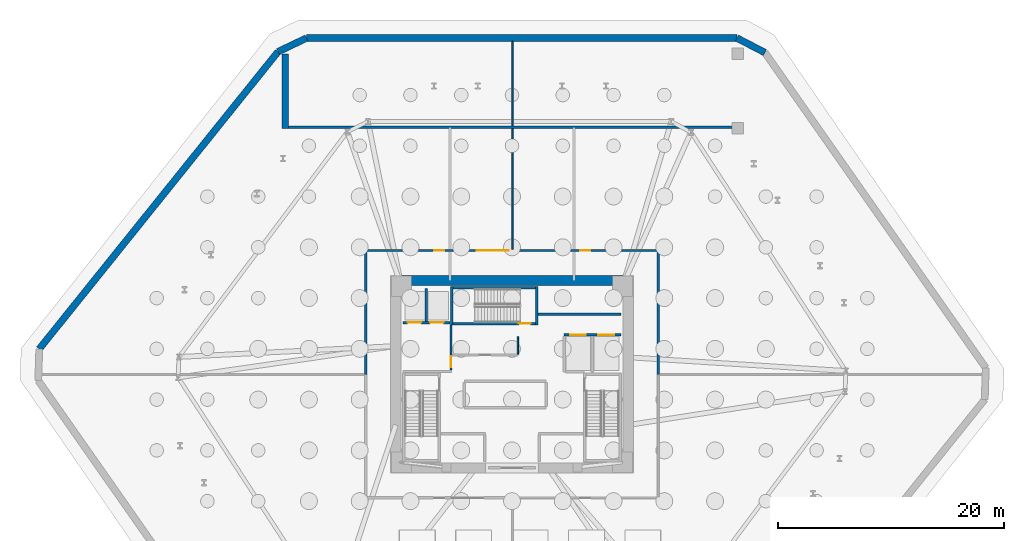
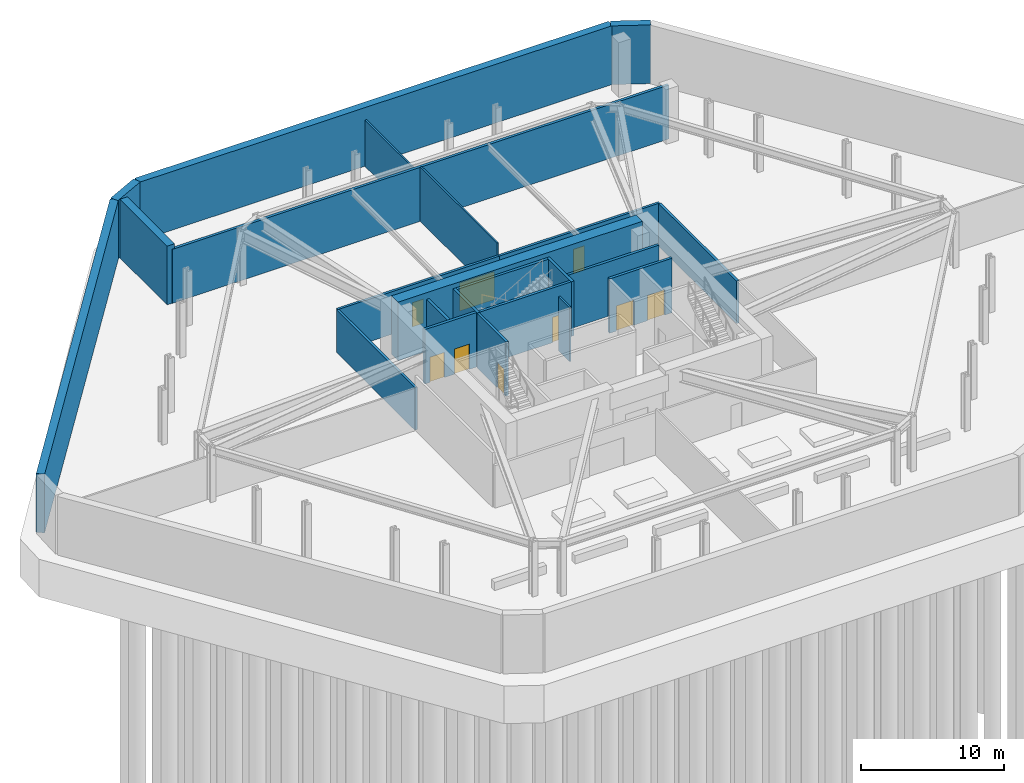
# One storey, part 5 of 8: 23 walls, 9 doors, 9 openings.
"""IFC4 building model written with IfcOpenShell, lengths in metres."""

import ifcopenshell
import ifcopenshell.guid

model = None  # the IFC model being written
_history = None  # IfcOwnerHistory: only IFC2X3 demands one
_inside = {}  # id of a spatial element -> (the spatial element, [elements in it])
_under = {}  # id of a project, library or spatial element -> (it, [spatial elements below it])
_declared = {}  # id of a project -> (the project, [libraries it declares])
_typed = {}  # id of a type object -> (the type object, [elements of that type])
_made_of = {}  # id of a material, layer set ... -> (it, [elements and type objects made of it])


def new_model(schema):
    """Start an empty IFC model of exactly this schema.

    Asked for "IFC4X3", IfcOpenShell would pick the latest addendum, in which some entities
    have other attributes; the version numbers below select the first issue.
    IFC2X3 requires an IfcOwnerHistory on every rooted entity: one is made here for all.
    """
    global model, _history
    if schema == "IFC4X3":
        model = ifcopenshell.file(schema_version=(4, 3, 0, 0))
    else:
        model = ifcopenshell.file(schema=schema)
    _inside.clear()
    _under.clear()
    _declared.clear()
    _typed.clear()
    _made_of.clear()
    _history = None
    if model.schema == "IFC2X3":
        org = make("IfcOrganization", Name="unknown")
        user = make(
            "IfcPersonAndOrganization",
            ThePerson=make("IfcPerson", FamilyName="unknown"),
            TheOrganization=org,
        )
        app = make(
            "IfcApplication",
            ApplicationDeveloper=org,
            Version="unknown",
            ApplicationFullName="unknown",
            ApplicationIdentifier="unknown",
        )
        _history = make(
            "IfcOwnerHistory",
            OwningUser=user,
            OwningApplication=app,
            ChangeAction="ADDED",
            CreationDate=0,
        )
    return model


def make(cls, **values):
    """One entity of the class cls with the attributes given. An attribute that is None is left unset."""
    return model.create_entity(
        cls, **{name: value for name, value in values.items() if value is not None}
    )


def rooted(cls, **values):
    """An entity with a GlobalId (a new one), such as an element, a storey or a relation."""
    return make(cls, GlobalId=ifcopenshell.guid.new(), OwnerHistory=_history, **values)


def si_unit(unit_type, name, prefix=None):
    """IfcSIUnit, for example si_unit("LENGTHUNIT", "METRE", prefix="MILLI")."""
    return make("IfcSIUnit", UnitType=unit_type, Prefix=prefix, Name=name)


def assignment(units):
    """IfcUnitAssignment: the units of a project."""
    return None if units is None else make("IfcUnitAssignment", Units=units)


def point(xyz):
    """IfcCartesianPoint."""
    return None if xyz is None else make("IfcCartesianPoint", Coordinates=xyz)


def direction(xyz):
    """IfcDirection."""
    return None if xyz is None else make("IfcDirection", DirectionRatios=xyz)


def frame(location, z_axis=None, x_axis=None):
    """IfcAxis2Placement3D, a coordinate frame: its origin and axes. An axis left out is left unset."""
    return make(
        "IfcAxis2Placement3D",
        Location=point(location),
        Axis=direction(z_axis),
        RefDirection=direction(x_axis),
    )


def frame_2d(location, x_axis=None):
    """IfcAxis2Placement2D, a coordinate frame in the plane: its origin and x axis."""
    return make(
        "IfcAxis2Placement2D", Location=point(location), RefDirection=direction(x_axis)
    )


def origin():
    """The frame at (0, 0, 0) with its axes left unset."""
    return frame((0.0, 0.0, 0.0))


def place(relative_to, where):
    """IfcLocalPlacement: puts the frame where relative to a parent placement (None: the world)."""
    return make(
        "IfcLocalPlacement", PlacementRelTo=relative_to, RelativePlacement=where
    )


def context(
    kind, dimensions, precision=None, world=None, true_north=None, identifier=None
):
    """IfcGeometricRepresentationContext, for example the 3D "Model" context."""
    return make(
        "IfcGeometricRepresentationContext",
        ContextIdentifier=identifier,
        ContextType=kind,
        CoordinateSpaceDimension=dimensions,
        Precision=precision,
        WorldCoordinateSystem=world,
        TrueNorth=true_north,
    )


def subcontext(parent, identifier, kind, view, scale=None):
    """IfcGeometricRepresentationSubContext, for example "Body" below "Model"."""
    return make(
        "IfcGeometricRepresentationSubContext",
        ContextIdentifier=identifier,
        ContextType=kind,
        ParentContext=parent,
        TargetScale=scale,
        TargetView=view,
    )


def project(units=None, contexts=None):
    """IfcProject with its units and contexts."""
    return rooted(
        "IfcProject",
        Name="project",
        RepresentationContexts=contexts,
        UnitsInContext=assignment(units),
    )


def spatial(cls, under=None, at=None, **own):
    """A site, building, storey or space (cls), placed at a placement, below another one or the project."""
    s = rooted(cls, ObjectPlacement=at, **own)
    if under is not None:
        _under.setdefault(under.id(), (under, []))[1].append(s)
    return s


def profile(cls, at=None, kind="AREA", **sizes):
    """A parametric profile (cls). Its sizes go by their IFC names, for example OverallWidth=200.0."""
    return make(cls, ProfileType=kind, Position=at, **sizes)


def rectangle(**sizes):
    """IfcRectangleProfileDef."""
    return profile("IfcRectangleProfileDef", **sizes)


def extrude(swept, where, along, depth):
    """IfcExtrudedAreaSolid: the profile swept, set in the frame where, extruded along a direction by depth."""
    return make(
        "IfcExtrudedAreaSolid",
        SweptArea=swept,
        Position=where,
        ExtrudedDirection=direction(along),
        Depth=depth,
    )


def shape(context_of_items, identifier, shape_type, items):
    """IfcShapeRepresentation: the items that make up one representation, for example the "Body"."""
    return make(
        "IfcShapeRepresentation",
        ContextOfItems=context_of_items,
        RepresentationIdentifier=identifier,
        RepresentationType=shape_type,
        Items=items,
    )


def source(mapping_origin, context_of_items, identifier, shape_type, items):
    """IfcRepresentationMap: a shape defined once, which mapped items show again and again."""
    return make(
        "IfcRepresentationMap",
        MappingOrigin=mapping_origin,
        MappedRepresentation=shape(context_of_items, identifier, shape_type, items),
    )


def transform(
    local_origin,
    x_axis=None,
    y_axis=None,
    z_axis=None,
    scale=None,
    scale2=None,
    scale3=None,
    uniform=True,
):
    """IfcCartesianTransformationOperator3D, or its non-uniform kind. x_axis, y_axis, z_axis: its Axis1, 2, 3."""
    if uniform:
        return make(
            "IfcCartesianTransformationOperator3D",
            Axis1=direction(x_axis),
            Axis2=direction(y_axis),
            LocalOrigin=point(local_origin),
            Scale=scale,
            Axis3=direction(z_axis),
        )
    return make(
        "IfcCartesianTransformationOperator3DnonUniform",
        Axis1=direction(x_axis),
        Axis2=direction(y_axis),
        LocalOrigin=point(local_origin),
        Scale=scale,
        Axis3=direction(z_axis),
        Scale2=scale2,
        Scale3=scale3,
    )


def mapped(mapping_source, mapping_target):
    """IfcMappedItem: shows the shape of a source again, moved by a transform."""
    return make(
        "IfcMappedItem", MappingSource=mapping_source, MappingTarget=mapping_target
    )


def material(Name=None, Category=None):
    """IfcMaterial."""
    return make("IfcMaterial", Name=Name, Category=Category)


def layer(
    of_material, thickness, ventilated=None, Name=None, Category=None, Priority=None
):
    """IfcMaterialLayer: one layer of a wall or slab, of a material (None: an air gap)."""
    return make(
        "IfcMaterialLayer",
        Material=of_material,
        LayerThickness=thickness,
        IsVentilated=ventilated,
        Name=Name,
        Category=Category,
        Priority=Priority,
    )


def layer_set(layers, Name=None):
    """IfcMaterialLayerSet."""
    return make("IfcMaterialLayerSet", MaterialLayers=layers, LayerSetName=Name)


def made_of(thing, what):
    """Note that an element or type object is made of a material, layer set ...; save() writes the relation."""
    if what is not None:
        _made_of.setdefault(what.id(), (what, []))[1].append(thing)
    return thing


def type_object(cls, material=None, **own):
    """A type object (cls), such as IfcWallType, which elements share."""
    return made_of(rooted(cls, **own), material)


def type_shapes(of_type, sources):
    """Give a type object the sources (RepresentationMaps) that its elements show as mapped items."""
    of_type.RepresentationMaps = sources


def element(
    cls,
    number,
    at=None,
    inside=None,
    cuts=None,
    type_object=None,
    material=None,
    context=None,
    identifier="Body",
    shape_type=None,
    held_by="IfcProductDefinitionShape",
    body=None,
    shapes=None,
    **own,
):
    """One element of the class cls, such as IfcWall. Its Tag is "e" and its number.

    at: its placement. inside: the storey or other place that contains it. cuts: it is an
    opening in that element (IfcRelVoidsElement). A single representation is given by context,
    identifier, shape_type and body (its items); several are given by shapes. held_by: the class
    of the entity that holds the representations. save() writes the other relations.
    """
    e = rooted(cls, Tag="e%d" % number, ObjectPlacement=at, **own)
    if body is not None:
        shapes = [shape(context, identifier, shape_type, body)]
    if shapes is not None:
        e.Representation = make(held_by, Representations=shapes)
    if inside is not None:
        _inside.setdefault(inside.id(), (inside, []))[1].append(e)
    if cuts is not None:
        rooted(
            "IfcRelVoidsElement", RelatingBuildingElement=cuts, RelatedOpeningElement=e
        )
    if type_object is not None:
        _typed.setdefault(type_object.id(), (type_object, []))[1].append(e)
    return made_of(e, material)


def fill(opening, filler):
    """IfcRelFillsElement: the door or window that sits in an opening."""
    return rooted(
        "IfcRelFillsElement",
        RelatingOpeningElement=opening,
        RelatedBuildingElement=filler,
    )


def aggregate(whole, parts):
    """IfcRelAggregates: a whole, such as a stair, and the parts it consists of."""
    return rooted("IfcRelAggregates", RelatingObject=whole, RelatedObjects=parts)


def save(model, path):
    """Write the relations noted so far, then the file.

    IfcRelAggregates (storeys below a building ...), IfcRelContainedInSpatialStructure (elements
    in a storey), IfcRelDefinesByType, IfcRelAssociatesMaterial and IfcRelDeclares: one each for
    every whole, place, type object, material and project.
    """
    for whole, parts in _under.values():
        aggregate(whole, parts)
    for where, things in _inside.values():
        rooted(
            "IfcRelContainedInSpatialStructure",
            RelatedElements=things,
            RelatingStructure=where,
        )
    for kind, things in _typed.values():
        rooted("IfcRelDefinesByType", RelatedObjects=things, RelatingType=kind)
    for what, things in _made_of.values():
        rooted("IfcRelAssociatesMaterial", RelatedObjects=things, RelatingMaterial=what)
    for by, libraries in _declared.values():
        rooted("IfcRelDeclares", RelatingContext=by, RelatedDefinitions=libraries)
    model.write(path)


model = new_model("IFC4")

# Units and contexts
model_context = context("Model", 3, precision=1e-05, world=origin(), true_north=direction((0.0, 1.0)))
body_context = subcontext(model_context, "Body", "Model", "MODEL_VIEW")
ifc_project = project(units=[si_unit("LENGTHUNIT", "METRE"), si_unit("AREAUNIT", "SQUARE_METRE"), si_unit("VOLUMEUNIT", "CUBIC_METRE"), si_unit("PLANEANGLEUNIT", "RADIAN"), si_unit("MASSUNIT", "GRAM", prefix="KILO")], contexts=[model_context])

# Site, building, storey
site_placement = place(None, origin())
site = spatial("IfcSite", under=ifc_project, at=site_placement, CompositionType="ELEMENT")
building_placement = place(site_placement, origin())
building = spatial("IfcBuilding", under=site, at=building_placement, Name="Durnholm Broadcast Tower", CompositionType="ELEMENT")
storey_placement = place(building_placement, frame((0.0, 0.0, -10.0)))
storey = spatial("IfcBuildingStorey", under=building, at=storey_placement, Name="B02", CompositionType="ELEMENT", Elevation=-10.0)

# Wall
ifc_material_1 = material(Name="Concrete C70/85", Category="concrete")
ifc_layer_1 = layer(ifc_material_1, 0.89990234375)
ifc_layer_set_1 = layer_set([ifc_layer_1], Name="Concrete C70/85")
wall_type_1 = type_object("IfcWallType", Name="WALL-CW-900", PredefinedType="SHEAR", material=ifc_layer_set_1)
wall_1_placement = place(storey_placement, frame((-9.85009765625, 8.300048828125, 0.0), z_axis=(0.0, 0.0, 1.0), x_axis=(1.0, 0.0, 0.0)))
element("IfcWall", 1, at=wall_1_placement, inside=storey, type_object=wall_type_1, Name="B02 central core shear wall CW-N", PredefinedType="SHEAR", context=body_context, shape_type="SweptSolid", body=[
    extrude(rectangle(XDim=19.7001953125, YDim=0.89990234375, at=frame_2d((9.85009765625, 0.0))), origin(), (0.0, 0.0, 1.0), 5.0),
])

# Wall, opening, door
ifc_material_2 = material(Name="Fire-Rated Gypsum Shaftwall", Category="concrete")
ifc_layer_2 = layer(ifc_material_2, 0.199951171875)
ifc_layer_set_2 = layer_set([ifc_layer_2], Name="Fire-Rated Gypsum Shaftwall")
wall_type_2 = type_object("IfcWallType", Name="WALL-LOB-200", PredefinedType="SOLIDWALL", material=ifc_layer_set_2)
wall_2_placement = place(storey_placement, frame((-5.39990234375, 0.35400390625, 0.0), z_axis=(0.0, 0.0, 1.0), x_axis=(0.0, 1.0, 0.0)))
wall_2 = element("IfcWall", 2, at=wall_2_placement, inside=storey, type_object=wall_type_2, Name="B02 Fire Service Access Elevator lobby east fire wall", PredefinedType="SOLIDWALL", context=body_context, shape_type="SweptSolid", body=[
    extrude(rectangle(XDim=4.02587890625, YDim=0.199951171875, at=frame_2d((2.012939453125, 0.0))), origin(), (0.0, 0.0, 1.0), 4.635009765625),
])
opening_1_placement = place(wall_2_placement, frame((0.24609375, 0.0, 0.0)))
opening_1 = element("IfcOpeningElement", 3, at=opening_1_placement, cuts=wall_2, Name="Opening DL-60L", PredefinedType="OPENING", context=body_context, shape_type="SweptSolid", body=[
    extrude(rectangle(XDim=1.0, YDim=2.14990234375, at=frame_2d((0.5, 1.074951171875))), frame((0.0, 0.10986328125, 0.0), z_axis=(0.0, -1.0, 0.0), x_axis=(1.0, 0.0, 0.0)), (0.0, 0.0, 1.0), 0.219970703125),
])
ifc_material_3 = material(Name="Fire-Rated Timber/Steel Door", Category="steel")
ifc_layer_3 = layer(ifc_material_3, 0.050048828125)
ifc_layer_set_3 = layer_set([ifc_layer_3], Name="Fire-Rated Timber/Steel Door")
door_type_1 = type_object("IfcDoorType", Name="DOOR-LOB-FD60-L", OperationType="NOTDEFINED", PredefinedType="DOOR", material=ifc_layer_set_3)
shared_shape_1 = source(origin(), body_context, "Body", "SweptSolid", [
    extrude(rectangle(XDim=1.0, YDim=2.14990234375, at=frame_2d((0.5, 1.074951171875))), frame((0.0, 0.02490234375, 0.0), z_axis=(0.0, -1.0, 0.0), x_axis=(1.0, 0.0, 0.0)), (0.0, 0.0, 1.0), 0.050048828125),
])
type_shapes(door_type_1, [shared_shape_1])
door_1_placement = place(opening_1_placement, origin())
door_1 = element("IfcDoor", 4, at=door_1_placement, inside=storey, type_object=door_type_1, Name="B02 Fire Service Access Elevator lobby smoke door", OperationType="SINGLE_SWING_LEFT", OverallHeight=2.14990234375, OverallWidth=1.0, PredefinedType="DOOR", context=body_context, shape_type="MappedRepresentation", body=[
    mapped(shared_shape_1, transform((0.0, 0.0, 0.0), x_axis=(1.0, 0.0, 0.0), y_axis=(0.0, 1.0, 0.0), z_axis=(0.0, 0.0, 1.0), scale=1.0)),
])
fill(opening_1, door_1)

# Wall, openings, doors
wall_3_placement = place(storey_placement, frame((0.0400390625, 10.9599609375, 0.0), z_axis=(0.0, 0.0, 1.0), x_axis=(-1.0, 0.0, 0.0)))
wall_3 = element("IfcWall", 5, at=wall_3_placement, inside=storey, type_object=wall_type_2, Name="B02 Central Chiller and Cooling Plant corridor partition", PredefinedType="SOLIDWALL", context=body_context, shape_type="SweptSolid", body=[
    extrude(rectangle(XDim=13.0, YDim=0.199951171875, at=frame_2d((6.5, 0.0))), origin(), (0.0, 0.0, 1.0), 3.62939453125),
])
opening_2_placement = place(wall_3_placement, frame((6.050048828125, 0.0, 0.0)))
opening_2 = element("IfcOpeningElement", 6, at=opening_2_placement, cuts=wall_3, Name="Opening DC-60L", PredefinedType="OPENING", context=body_context, shape_type="SweptSolid", body=[
    extrude(rectangle(XDim=0.89990234375, YDim=2.050048828125, at=frame_2d((0.449951171875, 1.02490234375))), frame((0.0, 0.10986328125, 0.0), z_axis=(0.0, -1.0, 0.0), x_axis=(1.0, 0.0, 0.0)), (0.0, 0.0, 1.0), 0.219970703125),
])
opening_3_placement = place(wall_3_placement, frame((0.35009765625, 0.0, 0.0)))
opening_3 = element("IfcOpeningElement", 7, at=opening_3_placement, cuts=wall_3, Name="Opening DG-FLT", PredefinedType="OPENING", context=body_context, shape_type="SweptSolid", body=[
    extrude(rectangle(XDim=2.800048828125, YDim=2.39990234375, at=frame_2d((1.39990234375, 1.199951171875))), frame((0.0, 0.10986328125, 0.0), z_axis=(0.0, -1.0, 0.0), x_axis=(1.0, 0.0, 0.0)), (0.0, 0.0, 1.0), 0.219970703125),
])
ifc_material_4 = material(Name="Fire-Rated Core Service Door", Category="steel")
ifc_layer_4 = layer(ifc_material_4, 0.050048828125)
ifc_layer_set_4 = layer_set([ifc_layer_4], Name="Fire-Rated Core Service Door")
door_type_2 = type_object("IfcDoorType", Name="DOOR-CORE-FD60-L", OperationType="NOTDEFINED", PredefinedType="DOOR", material=ifc_layer_set_4)
shared_shape_2 = source(origin(), body_context, "Body", "SweptSolid", [
    extrude(rectangle(XDim=0.89990234375, YDim=2.050048828125, at=frame_2d((0.449951171875, 1.02490234375))), frame((0.0, 0.02490234375, 0.0), z_axis=(0.0, -1.0, 0.0), x_axis=(1.0, 0.0, 0.0)), (0.0, 0.0, 1.0), 0.050048828125),
])
type_shapes(door_type_2, [shared_shape_2])
door_2_placement = place(opening_2_placement, origin())
door_2 = element("IfcDoor", 8, at=door_2_placement, inside=storey, type_object=door_type_2, Name="B02 Central Chiller and Cooling Plant entrance door", OperationType="SINGLE_SWING_LEFT", OverallHeight=2.050048828125, OverallWidth=0.89990234375, PredefinedType="DOOR", context=body_context, shape_type="MappedRepresentation", body=[
    mapped(shared_shape_2, transform((0.0, 0.0, 0.0), x_axis=(1.0, 0.0, 0.0), y_axis=(0.0, 1.0, 0.0), z_axis=(0.0, 0.0, 1.0), scale=1.0)),
])
fill(opening_2, door_2)
ifc_material_5 = material(Name="Galvanized Steel Fleet Security Shutter", Category="steel")
ifc_layer_5 = layer(ifc_material_5, 0.050048828125)
ifc_layer_set_5 = layer_set([ifc_layer_5], Name="Galvanized Steel Fleet Security Shutter")
door_type_3 = type_object("IfcDoorType", Name="DOOR-B01-GATE", OperationType="ROLLINGUP", PredefinedType="GATE", material=ifc_layer_set_5)
shared_shape_3 = source(origin(), body_context, "Body", "SweptSolid", [
    extrude(rectangle(XDim=2.800048828125, YDim=2.39990234375, at=frame_2d((1.39990234375, 1.199951171875))), frame((0.0, 0.02490234375, 0.0), z_axis=(0.0, -1.0, 0.0), x_axis=(1.0, 0.0, 0.0)), (0.0, 0.0, 1.0), 0.050048828125),
])
type_shapes(door_type_3, [shared_shape_3])
door_3_placement = place(opening_3_placement, origin())
door_3 = element("IfcDoor", 9, at=door_3_placement, inside=storey, type_object=door_type_3, Name="B02 plant equipment roller gate 2", OperationType="ROLLINGUP", OverallHeight=2.39990234375, OverallWidth=2.800048828125, PredefinedType="GATE", context=body_context, shape_type="MappedRepresentation", body=[
    mapped(shared_shape_3, transform((0.0, 0.0, 0.0), x_axis=(1.0, 0.0, 0.0), y_axis=(0.0, 1.0, 0.0), z_axis=(0.0, 0.0, 1.0), scale=1.0)),
])
fill(opening_3, door_3)

# Wall
wall_4_placement = place(storey_placement, frame((-12.9599609375, 10.85595703125, 0.0), z_axis=(0.0, 0.0, 1.0), x_axis=(0.0, -1.0, 0.0)))
element("IfcWall", 10, at=wall_4_placement, inside=storey, type_object=wall_type_2, Name="B02 Central Chiller and Cooling Plant corridor partition", PredefinedType="SOLIDWALL", context=body_context, shape_type="SweptSolid", body=[
    extrude(rectangle(XDim=10.89599609375, YDim=0.199951171875, at=frame_2d((5.447998046875, 0.0))), origin(), (0.0, 0.0, 1.0), 3.62939453125),
])

# Wall, opening, door
wall_5_placement = place(storey_placement, frame((12.9599609375, 10.9599609375, 0.0), z_axis=(0.0, 0.0, 1.0), x_axis=(-1.0, 0.0, 0.0)))
wall_5 = element("IfcWall", 11, at=wall_5_placement, inside=storey, type_object=wall_type_2, Name="B02 Fire Pump and Domestic Water Plant corridor partition", PredefinedType="SOLIDWALL", context=body_context, shape_type="SweptSolid", body=[
    extrude(rectangle(XDim=12.919921875, YDim=0.199951171875, at=frame_2d((6.4599609375, 0.0))), origin(), (0.0, 0.0, 1.0), 3.62939453125),
])
opening_4_placement = place(wall_5_placement, frame((6.010009765625, 0.0, 0.0)))
opening_4 = element("IfcOpeningElement", 12, at=opening_4_placement, cuts=wall_5, Name="Opening DC-60R", PredefinedType="OPENING", context=body_context, shape_type="SweptSolid", body=[
    extrude(rectangle(XDim=0.89990234375, YDim=2.050048828125, at=frame_2d((0.449951171875, 1.02490234375))), frame((0.0, 0.10986328125, 0.0), z_axis=(0.0, -1.0, 0.0), x_axis=(1.0, 0.0, 0.0)), (0.0, 0.0, 1.0), 0.219970703125),
])
ifc_layer_6 = layer(ifc_material_4, 0.050048828125)
ifc_layer_set_6 = layer_set([ifc_layer_6], Name="Fire-Rated Core Service Door")
door_type_4 = type_object("IfcDoorType", Name="DOOR-CORE-FD60-R", OperationType="NOTDEFINED", PredefinedType="DOOR", material=ifc_layer_set_6)
shared_shape_4 = source(origin(), body_context, "Body", "SweptSolid", [
    extrude(rectangle(XDim=0.89990234375, YDim=2.050048828125, at=frame_2d((0.449951171875, 1.02490234375))), frame((0.0, 0.02490234375, 0.0), z_axis=(0.0, -1.0, 0.0), x_axis=(1.0, 0.0, 0.0)), (0.0, 0.0, 1.0), 0.050048828125),
])
type_shapes(door_type_4, [shared_shape_4])
door_4_placement = place(opening_4_placement, origin())
door_4 = element("IfcDoor", 13, at=door_4_placement, inside=storey, type_object=door_type_4, Name="B02 Fire Pump and Domestic Water Plant entrance door", OperationType="SINGLE_SWING_RIGHT", OverallHeight=2.050048828125, OverallWidth=0.89990234375, PredefinedType="DOOR", context=body_context, shape_type="MappedRepresentation", body=[
    mapped(shared_shape_4, transform((0.0, 0.0, 0.0), x_axis=(1.0, 0.0, 0.0), y_axis=(0.0, 1.0, 0.0), z_axis=(0.0, 0.0, 1.0), scale=1.0)),
])
fill(opening_4, door_4)

# Walls
wall_6_placement = place(storey_placement, frame((12.9599609375, -0.0400390625, 0.0), z_axis=(0.0, 0.0, 1.0), x_axis=(0.0, 1.0, 0.0)))
element("IfcWall", 14, at=wall_6_placement, inside=storey, type_object=wall_type_2, Name="B02 Fire Pump and Domestic Water Plant corridor partition", PredefinedType="SOLIDWALL", context=body_context, shape_type="SweptSolid", body=[
    extrude(rectangle(XDim=10.89599609375, YDim=0.199951171875, at=frame_2d((5.447998046875, 0.0))), origin(), (0.0, 0.0, 1.0), 3.62939453125),
])
ifc_material_6 = material(Name="Gypsum Metal Stud Partition", Category="concrete")
ifc_layer_7 = layer(ifc_material_6, 0.135009765625)
ifc_layer_set_7 = layer_set([ifc_layer_7], Name="Gypsum Metal Stud Partition")
wall_type_3 = type_object("IfcWallType", Name="WALL-PART-135", PredefinedType="PARTITIONING", material=ifc_layer_set_7)
wall_7_placement = place(storey_placement, frame((0.0400390625, 29.4951171875, 0.0), z_axis=(0.0, 0.0, 1.0), x_axis=(0.0, -1.0, 0.0)))
element("IfcWall", 15, at=wall_7_placement, inside=storey, type_object=wall_type_3, Name="B02 room dividing partition 2.3", PredefinedType="PARTITIONING", context=body_context, shape_type="SweptSolid", body=[
    extrude(rectangle(XDim=7.490234375, YDim=0.135009765625, at=frame_2d((3.7451171875, 0.0))), origin(), (0.0, 0.0, 1.0), 3.944091796875),
])
wall_8_placement = place(storey_placement, frame((0.0400390625, 21.77490234375, 0.0), z_axis=(0.0, 0.0, 1.0), x_axis=(0.0, -1.0, 0.0)))
element("IfcWall", 16, at=wall_8_placement, inside=storey, type_object=wall_type_3, Name="B02 room dividing partition 2.3", PredefinedType="PARTITIONING", context=body_context, shape_type="SweptSolid", body=[
    extrude(rectangle(XDim=10.7109375, YDim=0.135009765625, at=frame_2d((5.35546875, 0.0))), origin(), (0.0, 0.0, 1.0), 4.635009765625),
])
ifc_material_7 = material(Name="Acoustic Gypsum Stud Partition", Category="concrete")
ifc_layer_8 = layer(ifc_material_7, 0.14990234375)
ifc_layer_set_8 = layer_set([ifc_layer_8], Name="Acoustic Gypsum Stud Partition")
wall_type_4 = type_object("IfcWallType", Name="WALL-PART-150", PredefinedType="PARTITIONING", material=ifc_layer_set_8)
wall_9_placement = place(storey_placement, frame((0.52001953125, 3.300048828125, 0.0), z_axis=(0.0, 0.0, 1.0), x_axis=(0.0, -1.0, 0.0)))
element("IfcWall", 17, at=wall_9_placement, inside=storey, type_object=wall_type_4, Name="B02 Core Housekeeping Room corridor partition", PredefinedType="PARTITIONING", context=body_context, shape_type="SweptSolid", body=[
    extrude(rectangle(XDim=1.510986328125, YDim=0.14990234375, at=frame_2d((0.75537109375, 0.0))), origin(), (0.0, 0.0, 1.0), 4.635009765625),
])
ifc_material_8 = material(Name="Concrete C50/60", Category="concrete")
ifc_layer_9 = layer(ifc_material_8, 0.60009765625)
ifc_layer_set_9 = layer_set([ifc_layer_9], Name="Concrete C50/60")
wall_type_5 = type_object("IfcWallType", Name="WALL-RET-600", PredefinedType="USERDEFINED", material=ifc_layer_set_9)
wall_10_placement = place(storey_placement, frame((-20.10009765625, 21.800048828125, 0.0), z_axis=(0.0, 0.0, 1.0), x_axis=(0.0, 1.0, 0.0)))
element("IfcWall", 18, at=wall_10_placement, inside=storey, type_object=wall_type_5, Name="B02 vehicle ramp lower abutment wall", ObjectType="RETAININGWALL", PredefinedType="USERDEFINED", context=body_context, shape_type="SweptSolid", body=[
    extrude(rectangle(XDim=6.599853515625, YDim=0.60009765625, at=frame_2d((3.2998046875, 0.0))), origin(), (0.0, 0.0, 1.0), 5.0),
])
wall_11_placement = place(storey_placement, frame((22.421142578125, 28.507080078125, 0.0), z_axis=(0.0, 0.0, 1.0), x_axis=(-0.887001141035, 0.461767231192, 0.0)))
element("IfcWall", 19, at=wall_11_placement, inside=storey, type_object=wall_type_5, Name="B02 perimeter retaining wall 7", ObjectType="RETAININGWALL", PredefinedType="USERDEFINED", context=body_context, shape_type="SweptSolid", body=[
    extrude(rectangle(XDim=2.800048828125, YDim=0.60009765625, at=frame_2d((1.39990234375, 0.0))), origin(), (0.0, 0.0, 1.0), 5.0),
])
wall_12_placement = place(storey_placement, frame((19.9375, 29.800048828125, 0.0), z_axis=(0.0, 0.0, 1.0), x_axis=(-1.0, 0.0, 0.0)))
element("IfcWall", 20, at=wall_12_placement, inside=storey, type_object=wall_type_5, Name="B02 perimeter retaining wall 8", ObjectType="RETAININGWALL", PredefinedType="USERDEFINED", context=body_context, shape_type="SweptSolid", body=[
    extrude(rectangle(XDim=38.149169921875, YDim=0.60009765625, at=frame_2d((19.07470703125, 0.0))), origin(), (0.0, 0.0, 1.0), 5.0),
])
wall_13_placement = place(storey_placement, frame((-18.211669921875, 29.800048828125, 0.0), z_axis=(0.0, 0.0, 1.0), x_axis=(-0.901732483037, -0.432294493415, 0.0)))
element("IfcWall", 21, at=wall_13_placement, inside=storey, type_object=wall_type_5, Name="B02 perimeter retaining wall 9", ObjectType="RETAININGWALL", PredefinedType="USERDEFINED", context=body_context, shape_type="SweptSolid", body=[
    extrude(rectangle(XDim=2.800048828125, YDim=0.60009765625, at=frame_2d((1.39990234375, 0.0))), origin(), (0.0, 0.0, 1.0), 5.0),
])
wall_14_placement = place(storey_placement, frame((-20.736572265625, 28.589599609375, 0.0), z_axis=(0.0, 0.0, 1.0), x_axis=(-0.626280274315, -0.779597984864, 0.0)))
element("IfcWall", 22, at=wall_14_placement, inside=storey, type_object=wall_type_5, Name="B02 perimeter retaining wall 10", ObjectType="RETAININGWALL", PredefinedType="USERDEFINED", context=body_context, shape_type="SweptSolid", body=[
    extrude(rectangle(XDim=33.79833984375, YDim=0.60009765625, at=frame_2d((16.899169921875, 0.0))), origin(), (0.0, 0.0, 1.0), 5.0),
])

# Wall, openings, doors
ifc_material_9 = material(Name="Concrete Blockwork C30/37", Category="masonry")
ifc_layer_10 = layer(ifc_material_9, 0.219970703125)
ifc_layer_set_10 = layer_set([ifc_layer_10], Name="Concrete Blockwork C30/37")
wall_type_6 = type_object("IfcWallType", Name="WALL-SHAFT-220", PredefinedType="SOLIDWALL", material=ifc_layer_set_10)
wall_15_placement = place(storey_placement, frame((-9.64990234375, 4.580078125, 0.0), z_axis=(0.0, 0.0, 1.0), x_axis=(1.0, 0.0, 0.0)))
wall_15 = element("IfcWall", 23, at=wall_15_placement, inside=storey, type_object=wall_type_6, Name="B02 FSAE hoistway front fire wall", PredefinedType="SOLIDWALL", context=body_context, shape_type="SweptSolid", body=[
    extrude(rectangle(XDim=4.1748046875, YDim=0.219970703125, at=frame_2d((2.08740234375, 0.0))), origin(), (0.0, 0.0, 1.0), 4.635009765625),
])
opening_5_placement = place(wall_15_placement, frame((0.39990234375, 0.0, 0.0)))
opening_5 = element("IfcOpeningElement", 24, at=opening_5_placement, cuts=wall_15, Name="Opening LD-FSAE-2", PredefinedType="OPENING", context=body_context, shape_type="SweptSolid", body=[
    extrude(rectangle(XDim=1.199951171875, YDim=2.14990234375, at=frame_2d((0.60009765625, 1.074951171875))), frame((0.0, 0.1201171875, 0.0), z_axis=(0.0, -1.0, 0.0), x_axis=(1.0, 0.0, 0.0)), (0.0, 0.0, 1.0), 0.239990234375),
])
opening_6_placement = place(wall_15_placement, frame((2.39990234375, 0.0, 0.0)))
opening_6 = element("IfcOpeningElement", 25, at=opening_6_placement, cuts=wall_15, Name="Opening LD-FSAE-1", PredefinedType="OPENING", context=body_context, shape_type="SweptSolid", body=[
    extrude(rectangle(XDim=1.199951171875, YDim=2.14990234375, at=frame_2d((0.60009765625, 1.074951171875))), frame((0.0, 0.1201171875, 0.0), z_axis=(0.0, -1.0, 0.0), x_axis=(1.0, 0.0, 0.0)), (0.0, 0.0, 1.0), 0.239990234375),
])
ifc_material_10 = material(Name="Fire Service Access Sliding Landing Door", Category="steel")
ifc_layer_11 = layer(ifc_material_10, 0.050048828125)
ifc_layer_set_11 = layer_set([ifc_layer_11], Name="Fire Service Access Sliding Landing Door")
door_type_5 = type_object("IfcDoorType", Name="DOOR-LIFT-FSAE", OperationType="DOUBLE_DOOR_SLIDING", PredefinedType="DOOR", material=ifc_layer_set_11)
shared_shape_5 = source(origin(), body_context, "Body", "SweptSolid", [
    extrude(rectangle(XDim=1.199951171875, YDim=2.14990234375, at=frame_2d((0.60009765625, 1.074951171875))), frame((0.0, 0.02490234375, 0.0), z_axis=(0.0, -1.0, 0.0), x_axis=(1.0, 0.0, 0.0)), (0.0, 0.0, 1.0), 0.050048828125),
])
type_shapes(door_type_5, [shared_shape_5])
door_5_placement = place(opening_5_placement, origin())
door_5 = element("IfcDoor", 26, at=door_5_placement, inside=storey, type_object=door_type_5, Name="B02 Fire Service Access Elevator FSAE-2 sliding landing door", OperationType="DOUBLE_DOOR_SLIDING", OverallHeight=2.14990234375, OverallWidth=1.199951171875, PredefinedType="DOOR", context=body_context, shape_type="MappedRepresentation", body=[
    mapped(shared_shape_5, transform((0.0, 0.0, 0.0), x_axis=(1.0, 0.0, 0.0), y_axis=(0.0, 1.0, 0.0), z_axis=(0.0, 0.0, 1.0), scale=1.0)),
])
fill(opening_5, door_5)
door_6_placement = place(opening_6_placement, origin())
door_6 = element("IfcDoor", 27, at=door_6_placement, inside=storey, type_object=door_type_5, Name="B02 Fire Service Access Elevator FSAE-1 sliding landing door", OperationType="DOUBLE_DOOR_SLIDING", OverallHeight=2.14990234375, OverallWidth=1.199951171875, PredefinedType="DOOR", context=body_context, shape_type="MappedRepresentation", body=[
    mapped(shared_shape_5, transform((0.0, 0.0, 0.0), x_axis=(1.0, 0.0, 0.0), y_axis=(0.0, 1.0, 0.0), z_axis=(0.0, 0.0, 1.0), scale=1.0)),
])
fill(opening_6, door_6)

# Wall
wall_16_placement = place(storey_placement, frame((-7.580078125, 4.694091796875, 0.0), z_axis=(0.0, 0.0, 1.0), x_axis=(0.0, 1.0, 0.0)))
element("IfcWall", 28, at=wall_16_placement, inside=storey, type_object=wall_type_6, Name="B02 FSAE shaft divider wall", PredefinedType="SOLIDWALL", context=body_context, shape_type="SweptSolid", body=[
    extrude(rectangle(XDim=2.906005859375, YDim=0.219970703125, at=frame_2d((1.453125, 0.0))), origin(), (0.0, 0.0, 1.0), 4.635009765625),
])

# Wall, openings, doors
wall_17_placement = place(storey_placement, frame((4.60009765625, 3.47998046875, 0.0), z_axis=(0.0, 0.0, 1.0), x_axis=(1.0, 0.0, 0.0)))
wall_17 = element("IfcWall", 29, at=wall_17_placement, inside=storey, type_object=wall_type_6, Name="B02 freight service lifts north front wall", PredefinedType="SOLIDWALL", context=body_context, shape_type="SweptSolid", body=[
    extrude(rectangle(XDim=5.0498046875, YDim=0.219970703125, at=frame_2d((2.52490234375, 0.0))), origin(), (0.0, 0.0, 1.0), 4.635009765625),
])
opening_7_placement = place(wall_17_placement, frame((0.550048828125, 0.0, 0.0)))
opening_7 = element("IfcOpeningElement", 30, at=opening_7_placement, cuts=wall_17, Name="Opening LD-SVL-2", PredefinedType="OPENING", context=body_context, shape_type="SweptSolid", body=[
    extrude(rectangle(XDim=1.39990234375, YDim=2.14990234375, at=frame_2d((0.699951171875, 1.074951171875))), frame((0.0, 0.1201171875, 0.0), z_axis=(0.0, -1.0, 0.0), x_axis=(1.0, 0.0, 0.0)), (0.0, 0.0, 1.0), 0.239990234375),
])
opening_8_placement = place(wall_17_placement, frame((3.050048828125, 0.0, 0.0)))
opening_8 = element("IfcOpeningElement", 31, at=opening_8_placement, cuts=wall_17, Name="Opening LD-SVL-1", PredefinedType="OPENING", context=body_context, shape_type="SweptSolid", body=[
    extrude(rectangle(XDim=1.39990234375, YDim=2.14990234375, at=frame_2d((0.699951171875, 1.074951171875))), frame((0.0, 0.1201171875, 0.0), z_axis=(0.0, -1.0, 0.0), x_axis=(1.0, 0.0, 0.0)), (0.0, 0.0, 1.0), 0.239990234375),
])
ifc_material_11 = material(Name="Freight Elevator Bi-Parting Sliding Landing Door", Category="steel")
ifc_layer_12 = layer(ifc_material_11, 0.050048828125)
ifc_layer_set_12 = layer_set([ifc_layer_12], Name="Freight Elevator Bi-Parting Sliding Landing Door")
door_type_6 = type_object("IfcDoorType", Name="DOOR-LIFT-SVL", OperationType="DOUBLE_DOOR_SLIDING", PredefinedType="DOOR", material=ifc_layer_set_12)
shared_shape_6 = source(origin(), body_context, "Body", "SweptSolid", [
    extrude(rectangle(XDim=1.39990234375, YDim=2.14990234375, at=frame_2d((0.699951171875, 1.074951171875))), frame((0.0, 0.02490234375, 0.0), z_axis=(0.0, -1.0, 0.0), x_axis=(1.0, 0.0, 0.0)), (0.0, 0.0, 1.0), 0.050048828125),
])
type_shapes(door_type_6, [shared_shape_6])
door_7_placement = place(opening_7_placement, origin())
door_7 = element("IfcDoor", 32, at=door_7_placement, inside=storey, type_object=door_type_6, Name="B02 freight service elevator SVL-2 sliding landing door", OperationType="DOUBLE_DOOR_SLIDING", OverallHeight=2.14990234375, OverallWidth=1.39990234375, PredefinedType="DOOR", context=body_context, shape_type="MappedRepresentation", body=[
    mapped(shared_shape_6, transform((0.0, 0.0, 0.0), x_axis=(1.0, 0.0, 0.0), y_axis=(0.0, 1.0, 0.0), z_axis=(0.0, 0.0, 1.0), scale=1.0)),
])
fill(opening_7, door_7)
door_8_placement = place(opening_8_placement, origin())
door_8 = element("IfcDoor", 33, at=door_8_placement, inside=storey, type_object=door_type_6, Name="B02 freight service elevator SVL-1 sliding landing door", OperationType="DOUBLE_DOOR_SLIDING", OverallHeight=2.14990234375, OverallWidth=1.39990234375, PredefinedType="DOOR", context=body_context, shape_type="MappedRepresentation", body=[
    mapped(shared_shape_6, transform((0.0, 0.0, 0.0), x_axis=(1.0, 0.0, 0.0), y_axis=(0.0, 1.0, 0.0), z_axis=(0.0, 0.0, 1.0), scale=1.0)),
])
fill(opening_8, door_8)

# Walls
wall_18_placement = place(storey_placement, frame((2.324951171875, 5.320068359375, 0.0), z_axis=(0.0, 0.0, 1.0), x_axis=(1.0, 0.0, 0.0)))
element("IfcWall", 34, at=wall_18_placement, inside=storey, type_object=wall_type_6, Name="B02 high-rise bank P3 south front wall", PredefinedType="SOLIDWALL", context=body_context, shape_type="SweptSolid", body=[
    extrude(rectangle(XDim=7.324951171875, YDim=0.219970703125, at=frame_2d((3.66259765625, 0.0))), origin(), (0.0, 0.0, 1.0), 4.635009765625),
])
ifc_layer_13 = layer(ifc_material_8, 0.219970703125)
ifc_layer_set_13 = layer_set([ifc_layer_13], Name="Concrete C50/60")
wall_type_7 = type_object("IfcWallType", Name="WALL-SW-220", PredefinedType="SHEAR", material=ifc_layer_set_13)
wall_19_placement = place(storey_placement, frame((-20.0, 21.889892578125, 0.0), z_axis=(0.0, 0.0, 1.0), x_axis=(1.0, 0.0, 0.0)))
element("IfcWall", 35, at=wall_19_placement, inside=storey, type_object=wall_type_7, Name="B02 vehicle ramp south bearing wall", PredefinedType="SHEAR", context=body_context, shape_type="SweptSolid", body=[
    extrude(rectangle(XDim=40.0, YDim=0.219970703125, at=frame_2d((20.0, 0.0))), origin(), (0.0, 0.0, 1.0), 4.60009765625),
])
for number, where, z_axis, x_axis, name in (
    (36, (2.2099609375, 4.3798828125, 0.0), (0.0, 0.0, 1.0), (0.0, 1.0, 0.0), "B02 stair ST-3 structural shaft wall E"),
    (37, (-5.360107421875, 7.780029296875, 0.0), (0.0, 0.0, 1.0), (0.0, -1.0, 0.0), "B02 stair ST-3 structural shaft wall W"),
):
    element("IfcWall", number, at=place(storey_placement, frame(where, z_axis=z_axis, x_axis=x_axis)), inside=storey, type_object=wall_type_7, Name=name, PredefinedType="SHEAR", context=body_context, shape_type="SweptSolid", body=[
        extrude(rectangle(XDim=3.400146484375, YDim=0.219970703125, at=frame_2d((1.7001953125, 0.0))), origin(), (0.0, 0.0, 1.0), 4.64990234375),
    ])

# Wall, opening, door
wall_20_placement = place(storey_placement, frame((-5.25, 4.489990234375, 0.0), z_axis=(0.0, 0.0, 1.0), x_axis=(1.0, 0.0, 0.0)))
wall_20 = element("IfcWall", 38, at=wall_20_placement, inside=storey, type_object=wall_type_7, Name="B02 stair ST-3 structural shaft wall S", PredefinedType="SHEAR", context=body_context, shape_type="SweptSolid", body=[
    extrude(rectangle(XDim=7.35009765625, YDim=0.219970703125, at=frame_2d((3.675048828125, 0.0))), origin(), (0.0, 0.0, 1.0), 4.64990234375),
])
opening_9_placement = place(wall_20_placement, frame((5.85009765625, 0.0, 0.0)))
opening_9 = element("IfcOpeningElement", 39, at=opening_9_placement, cuts=wall_20, Name="Opening DS-90L", PredefinedType="OPENING", context=body_context, shape_type="SweptSolid", body=[
    extrude(rectangle(XDim=1.050048828125, YDim=2.14990234375, at=frame_2d((0.52490234375, 1.074951171875))), frame((0.0, 0.1201171875, 0.0), z_axis=(0.0, -1.0, 0.0), x_axis=(1.0, 0.0, 0.0)), (0.0, 0.0, 1.0), 0.239990234375),
])
ifc_material_12 = material(Name="Fire-Rated Steel Door", Category="steel")
ifc_layer_14 = layer(ifc_material_12, 0.050048828125)
ifc_layer_set_14 = layer_set([ifc_layer_14], Name="Fire-Rated Steel Door")
door_type_7 = type_object("IfcDoorType", Name="DOOR-ST-FD90-L", OperationType="NOTDEFINED", PredefinedType="DOOR", material=ifc_layer_set_14)
shared_shape_7 = source(origin(), body_context, "Body", "SweptSolid", [
    extrude(rectangle(XDim=1.050048828125, YDim=2.14990234375, at=frame_2d((0.52490234375, 1.074951171875))), frame((0.0, 0.02490234375, 0.0), z_axis=(0.0, -1.0, 0.0), x_axis=(1.0, 0.0, 0.0)), (0.0, 0.0, 1.0), 0.050048828125),
])
type_shapes(door_type_7, [shared_shape_7])
door_9_placement = place(opening_9_placement, origin())
door_9 = element("IfcDoor", 40, at=door_9_placement, inside=storey, type_object=door_type_7, Name="B02 exit stair ST-3 fire door", OperationType="SINGLE_SWING_LEFT", OverallHeight=2.14990234375, OverallWidth=1.050048828125, PredefinedType="DOOR", context=body_context, shape_type="MappedRepresentation", body=[
    mapped(shared_shape_7, transform((0.0, 0.0, 0.0), x_axis=(1.0, 0.0, 0.0), y_axis=(0.0, 1.0, 0.0), z_axis=(0.0, 0.0, 1.0), scale=1.0)),
])
fill(opening_9, door_9)

# Wall
wall_21_placement = place(storey_placement, frame((2.10009765625, 7.669921875, 0.0), z_axis=(0.0, 0.0, 1.0), x_axis=(-1.0, 0.0, 0.0)))
element("IfcWall", 41, at=wall_21_placement, inside=storey, type_object=wall_type_7, Name="B02 stair ST-3 structural shaft wall N", PredefinedType="SHEAR", context=body_context, shape_type="SweptSolid", body=[
    extrude(rectangle(XDim=7.35009765625, YDim=0.219970703125, at=frame_2d((3.675048828125, 0.0))), origin(), (0.0, 0.0, 1.0), 4.64990234375),
])

save(model, "model.ifc")
